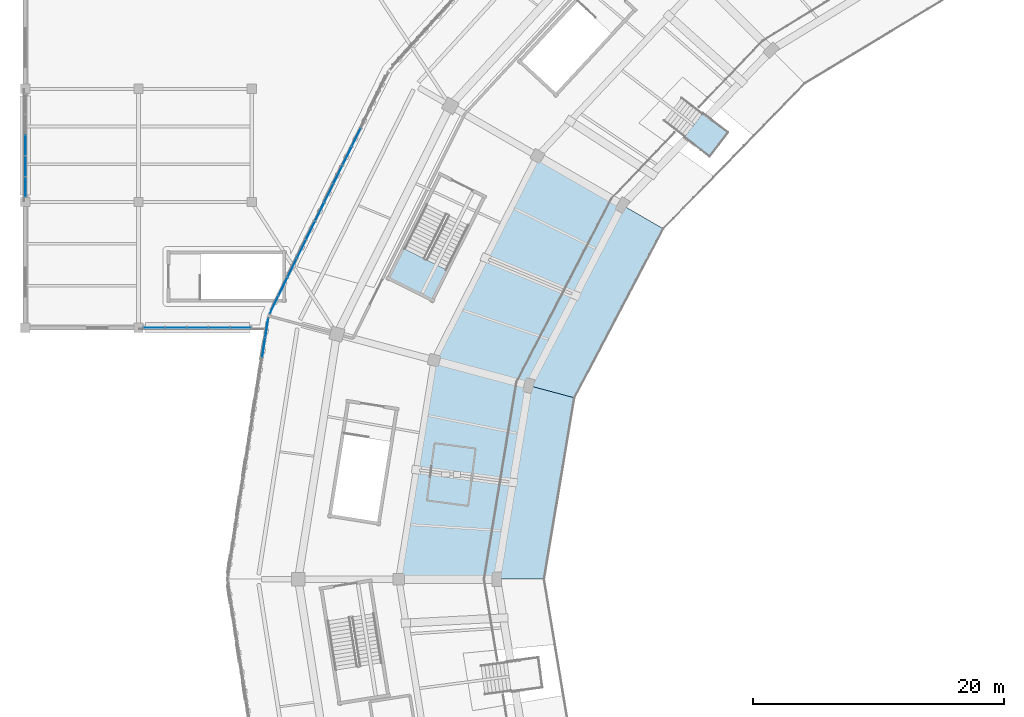
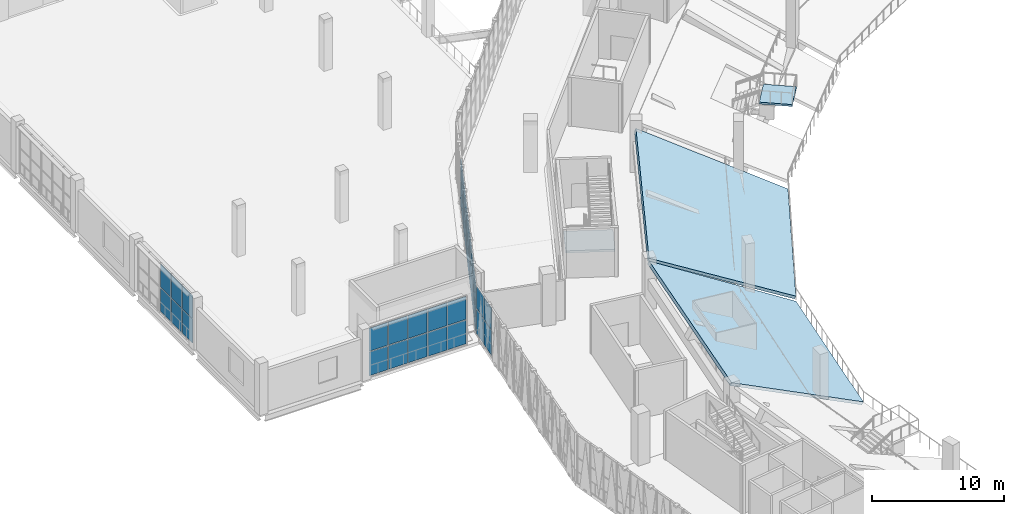
# One storey, part 76 of 152: 40 plates, 4 slabs, 6 elements without a shape of their own.
"""IFC4 building model written with IfcOpenShell, lengths in metres."""

from ifc_helpers import new_model, si_unit, direction, frame, origin, origin_2d, place, context, subcontext, project, spatial, polyline, rectangle, outline, extrude, material, layer, layer_set, type_object, element, aggregate, save


model = new_model("IFC4")

# Units and contexts
model_context = context("Model", 3, precision=1e-05, world=origin(), true_north=direction((0.0, 1.0)))
body_context = subcontext(model_context, "Body", "Model", "MODEL_VIEW")
ifc_project = project(units=[si_unit("LENGTHUNIT", "METRE"), si_unit("AREAUNIT", "SQUARE_METRE"), si_unit("VOLUMEUNIT", "CUBIC_METRE"), si_unit("PLANEANGLEUNIT", "RADIAN"), si_unit("MASSUNIT", "GRAM", prefix="KILO")], contexts=[model_context])

# Site, building, storey
site_placement = place(None, origin())
site = spatial("IfcSite", under=ifc_project, at=site_placement, CompositionType="ELEMENT")
building_placement = place(site_placement, origin())
building = spatial("IfcBuilding", under=site, at=building_placement, Name="Zevraka Park Crest Stadium", CompositionType="ELEMENT")
storey_placement = place(building_placement, frame((0.0, 0.0, 15.0)))
storey = spatial("IfcBuildingStorey", under=building, at=storey_placement, Name="L03", CompositionType="ELEMENT", Elevation=15.0)

# Curtain wall, plates
ifc_material_1 = material(Name="Anodised architectural aluminium and laminated safety glass", Category="aluminium")
curtain_wall_type_1 = type_object("IfcCurtainWallType", Name="CW11", PredefinedType="NOTDEFINED", material=ifc_material_1)
curtain_wall_1_placement = place(storey_placement, origin())
curtain_wall_1 = element("IfcCurtainWall", 1, at=curtain_wall_1_placement, inside=storey, type_object=curtain_wall_type_1, Name="Unitised Ring Curtain Wall CW11 L03-11", PredefinedType="NOTDEFINED")
ifc_material_2 = material(Name="Solar-control laminated double glazing", Category="glass")
ifc_layer_1 = layer(ifc_material_2, 0.028076171875)
ifc_layer_set_1 = layer_set([ifc_layer_1], Name="Solar-control laminated double glazing")
plate_type_1 = type_object("IfcPlateType", Name="CP11", PredefinedType="CURTAIN_PANEL", material=ifc_layer_set_1)
plate_1_placement = place(storey_placement, frame((19.201416015625, 112.001220703125, 0.06494140625), z_axis=(0.0, 0.0, 1.0), x_axis=(-0.154127730222, -0.988050931267, 0.0)))
plate_1 = element("IfcPlate", 2, at=plate_1_placement, type_object=plate_type_1, Name="CW11 panel 1.1", PredefinedType="CURTAIN_PANEL", context=body_context, shape_type="SweptSolid", body=[
    extrude(rectangle(XDim=1.512939453125, YDim=0.028076171875, at=origin_2d()), origin(), (0.0, 0.0, 1.0), 2.302490234375),
])
plate_2_placement = place(storey_placement, frame((19.201416015625, 112.001220703125, 2.4326171875), z_axis=(0.0, 0.0, 1.0), x_axis=(-0.154127730222, -0.988050931267, 0.0)))
plate_2 = element("IfcPlate", 3, at=plate_2_placement, type_object=plate_type_1, Name="CW11 panel 1.2", PredefinedType="CURTAIN_PANEL", context=body_context, shape_type="SweptSolid", body=[
    extrude(rectangle(XDim=1.512939453125, YDim=0.028076171875, at=origin_2d()), origin(), (0.0, 0.0, 1.0), 2.04248046875),
])
plate_3_placement = place(storey_placement, frame((18.95556640625, 110.426025390625, 0.06494140625), z_axis=(0.0, 0.0, 1.0), x_axis=(-0.154127730222, -0.988050931267, 0.0)))
plate_3 = element("IfcPlate", 4, at=plate_3_placement, type_object=plate_type_1, Name="CW11 panel 2.1", PredefinedType="CURTAIN_PANEL", context=body_context, shape_type="SweptSolid", body=[
    extrude(rectangle(XDim=1.545654296875, YDim=0.028076171875, at=origin_2d()), origin(), (0.0, 0.0, 1.0), 2.302490234375),
])
plate_4_placement = place(storey_placement, frame((18.95556640625, 110.426025390625, 2.4326171875), z_axis=(0.0, 0.0, 1.0), x_axis=(-0.154127730222, -0.988050931267, 0.0)))
plate_4 = element("IfcPlate", 5, at=plate_4_placement, type_object=plate_type_1, Name="CW11 panel 2.2", PredefinedType="CURTAIN_PANEL", context=body_context, shape_type="SweptSolid", body=[
    extrude(rectangle(XDim=1.545654296875, YDim=0.028076171875, at=origin_2d()), origin(), (0.0, 0.0, 1.0), 2.04248046875),
])
aggregate(curtain_wall_1, [plate_1, plate_2, plate_3, plate_4])

ifc_material_3 = material(Name="Anodised architectural aluminium and laminated safety glass", Category="aluminium")
curtain_wall_type_2 = type_object("IfcCurtainWallType", Name="CW12", PredefinedType="NOTDEFINED", material=ifc_material_3)
curtain_wall_2_placement = place(storey_placement, origin())
curtain_wall_2 = element("IfcCurtainWall", 6, at=curtain_wall_2_placement, inside=storey, type_object=curtain_wall_type_2, Name="Unitised Ring Curtain Wall CW12 L03-10", PredefinedType="NOTDEFINED")
ifc_material_4 = material(Name="Solar-control laminated double glazing", Category="glass")
ifc_layer_2 = layer(ifc_material_4, 0.028076171875)
ifc_layer_set_2 = layer_set([ifc_layer_2], Name="Solar-control laminated double glazing")
plate_type_2 = type_object("IfcPlateType", Name="CP12", PredefinedType="CURTAIN_PANEL", material=ifc_layer_set_2)
plate_5_placement = place(storey_placement, frame((26.3232421875, 127.14697265625, 0.070068359375), z_axis=(0.0, 0.0, 1.0), x_axis=(-0.440666370912, -0.897670958396, 0.0)))
plate_5 = element("IfcPlate", 7, at=plate_5_placement, type_object=plate_type_2, Name="CW12 panel 4.1", PredefinedType="CURTAIN_PANEL", context=body_context, shape_type="SweptSolid", body=[
    extrude(rectangle(XDim=1.58251953125, YDim=0.028076171875, at=origin_2d()), origin(), (0.0, 0.0, 1.0), 2.294921875),
])
plate_6_placement = place(storey_placement, frame((26.3232421875, 127.14697265625, 2.43505859375), z_axis=(0.0, 0.0, 1.0), x_axis=(-0.440666370912, -0.897670958396, 0.0)))
plate_6 = element("IfcPlate", 8, at=plate_6_placement, type_object=plate_type_2, Name="CW12 panel 4.2", PredefinedType="CURTAIN_PANEL", context=body_context, shape_type="SweptSolid", body=[
    extrude(rectangle(XDim=1.58251953125, YDim=0.028076171875, at=origin_2d()), origin(), (0.0, 0.0, 1.0), 2.034912109375),
])
plate_7_placement = place(storey_placement, frame((25.594970703125, 125.663330078125, 0.070068359375), z_axis=(0.0, 0.0, 1.0), x_axis=(-0.440666370912, -0.897670958396, 0.0)))
plate_7 = element("IfcPlate", 9, at=plate_7_placement, type_object=plate_type_2, Name="CW12 panel 5.1", PredefinedType="CURTAIN_PANEL", context=body_context, shape_type="SweptSolid", body=[
    extrude(rectangle(XDim=1.58251953125, YDim=0.028076171875, at=origin_2d()), origin(), (0.0, 0.0, 1.0), 2.294921875),
])
plate_8_placement = place(storey_placement, frame((25.594970703125, 125.663330078125, 2.43505859375), z_axis=(0.0, 0.0, 1.0), x_axis=(-0.440666370912, -0.897670958396, 0.0)))
plate_8 = element("IfcPlate", 10, at=plate_8_placement, type_object=plate_type_2, Name="CW12 panel 5.2", PredefinedType="CURTAIN_PANEL", context=body_context, shape_type="SweptSolid", body=[
    extrude(rectangle(XDim=1.58251953125, YDim=0.028076171875, at=origin_2d()), origin(), (0.0, 0.0, 1.0), 2.034912109375),
])
plate_9_placement = place(storey_placement, frame((24.86669921875, 124.179931640625, 0.070068359375), z_axis=(0.0, 0.0, 1.0), x_axis=(-0.440666370912, -0.897670958396, 0.0)))
plate_9 = element("IfcPlate", 11, at=plate_9_placement, type_object=plate_type_2, Name="CW12 panel 6.1", PredefinedType="CURTAIN_PANEL", context=body_context, shape_type="SweptSolid", body=[
    extrude(rectangle(XDim=1.58251953125, YDim=0.028076171875, at=origin_2d()), origin(), (0.0, 0.0, 1.0), 2.294921875),
])
plate_10_placement = place(storey_placement, frame((24.86669921875, 124.179931640625, 2.43505859375), z_axis=(0.0, 0.0, 1.0), x_axis=(-0.440666370912, -0.897670958396, 0.0)))
plate_10 = element("IfcPlate", 12, at=plate_10_placement, type_object=plate_type_2, Name="CW12 panel 6.2", PredefinedType="CURTAIN_PANEL", context=body_context, shape_type="SweptSolid", body=[
    extrude(rectangle(XDim=1.58251953125, YDim=0.028076171875, at=origin_2d()), origin(), (0.0, 0.0, 1.0), 2.034912109375),
])
plate_11_placement = place(storey_placement, frame((24.138427734375, 122.696533203125, 0.070068359375), z_axis=(0.0, 0.0, 1.0), x_axis=(-0.440666370912, -0.897670958396, 0.0)))
plate_11 = element("IfcPlate", 13, at=plate_11_placement, type_object=plate_type_2, Name="CW12 panel 7.1", PredefinedType="CURTAIN_PANEL", context=body_context, shape_type="SweptSolid", body=[
    extrude(rectangle(XDim=1.58251953125, YDim=0.028076171875, at=origin_2d()), origin(), (0.0, 0.0, 1.0), 2.294921875),
])
plate_12_placement = place(storey_placement, frame((24.138427734375, 122.696533203125, 2.43505859375), z_axis=(0.0, 0.0, 1.0), x_axis=(-0.440666370912, -0.897670958396, 0.0)))
plate_12 = element("IfcPlate", 14, at=plate_12_placement, type_object=plate_type_2, Name="CW12 panel 7.2", PredefinedType="CURTAIN_PANEL", context=body_context, shape_type="SweptSolid", body=[
    extrude(rectangle(XDim=1.58251953125, YDim=0.028076171875, at=origin_2d()), origin(), (0.0, 0.0, 1.0), 2.034912109375),
])
plate_13_placement = place(storey_placement, frame((23.41015625, 121.213134765625, 0.070068359375), z_axis=(0.0, 0.0, 1.0), x_axis=(-0.440666370912, -0.897670958396, 0.0)))
plate_13 = element("IfcPlate", 15, at=plate_13_placement, type_object=plate_type_2, Name="CW12 panel 8.1", PredefinedType="CURTAIN_PANEL", context=body_context, shape_type="SweptSolid", body=[
    extrude(rectangle(XDim=1.58251953125, YDim=0.028076171875, at=origin_2d()), origin(), (0.0, 0.0, 1.0), 2.294921875),
])
plate_14_placement = place(storey_placement, frame((23.41015625, 121.213134765625, 2.43505859375), z_axis=(0.0, 0.0, 1.0), x_axis=(-0.440666370912, -0.897670958396, 0.0)))
plate_14 = element("IfcPlate", 16, at=plate_14_placement, type_object=plate_type_2, Name="CW12 panel 8.2", PredefinedType="CURTAIN_PANEL", context=body_context, shape_type="SweptSolid", body=[
    extrude(rectangle(XDim=1.58251953125, YDim=0.028076171875, at=origin_2d()), origin(), (0.0, 0.0, 1.0), 2.034912109375),
])
plate_15_placement = place(storey_placement, frame((22.68212890625, 119.7294921875, 0.070068359375), z_axis=(0.0, 0.0, 1.0), x_axis=(-0.440666370912, -0.897670958396, 0.0)))
plate_15 = element("IfcPlate", 17, at=plate_15_placement, type_object=plate_type_2, Name="CW12 panel 9.1", PredefinedType="CURTAIN_PANEL", context=body_context, shape_type="SweptSolid", body=[
    extrude(rectangle(XDim=1.58251953125, YDim=0.028076171875, at=origin_2d()), origin(), (0.0, 0.0, 1.0), 2.294921875),
])
plate_16_placement = place(storey_placement, frame((22.68212890625, 119.7294921875, 2.43505859375), z_axis=(0.0, 0.0, 1.0), x_axis=(-0.440666370912, -0.897670958396, 0.0)))
plate_16 = element("IfcPlate", 18, at=plate_16_placement, type_object=plate_type_2, Name="CW12 panel 9.2", PredefinedType="CURTAIN_PANEL", context=body_context, shape_type="SweptSolid", body=[
    extrude(rectangle(XDim=1.58251953125, YDim=0.028076171875, at=origin_2d()), origin(), (0.0, 0.0, 1.0), 2.034912109375),
])
plate_17_placement = place(storey_placement, frame((21.953857421875, 118.24609375, 0.070068359375), z_axis=(0.0, 0.0, 1.0), x_axis=(-0.440666370912, -0.897670958396, 0.0)))
plate_17 = element("IfcPlate", 19, at=plate_17_placement, type_object=plate_type_2, Name="CW12 panel 10.1", PredefinedType="CURTAIN_PANEL", context=body_context, shape_type="SweptSolid", body=[
    extrude(rectangle(XDim=1.58251953125, YDim=0.028076171875, at=origin_2d()), origin(), (0.0, 0.0, 1.0), 2.294921875),
])
plate_18_placement = place(storey_placement, frame((21.953857421875, 118.24609375, 2.43505859375), z_axis=(0.0, 0.0, 1.0), x_axis=(-0.440666370912, -0.897670958396, 0.0)))
plate_18 = element("IfcPlate", 20, at=plate_18_placement, type_object=plate_type_2, Name="CW12 panel 10.2", PredefinedType="CURTAIN_PANEL", context=body_context, shape_type="SweptSolid", body=[
    extrude(rectangle(XDim=1.58251953125, YDim=0.028076171875, at=origin_2d()), origin(), (0.0, 0.0, 1.0), 2.034912109375),
])
plate_19_placement = place(storey_placement, frame((21.2255859375, 116.7626953125, 0.070068359375), z_axis=(0.0, 0.0, 1.0), x_axis=(-0.440666370912, -0.897670958396, 0.0)))
plate_19 = element("IfcPlate", 21, at=plate_19_placement, type_object=plate_type_2, Name="CW12 panel 11.1", PredefinedType="CURTAIN_PANEL", context=body_context, shape_type="SweptSolid", body=[
    extrude(rectangle(XDim=1.58251953125, YDim=0.028076171875, at=origin_2d()), origin(), (0.0, 0.0, 1.0), 2.294921875),
])
plate_20_placement = place(storey_placement, frame((21.2255859375, 116.7626953125, 2.43505859375), z_axis=(0.0, 0.0, 1.0), x_axis=(-0.440666370912, -0.897670958396, 0.0)))
plate_20 = element("IfcPlate", 22, at=plate_20_placement, type_object=plate_type_2, Name="CW12 panel 11.2", PredefinedType="CURTAIN_PANEL", context=body_context, shape_type="SweptSolid", body=[
    extrude(rectangle(XDim=1.58251953125, YDim=0.028076171875, at=origin_2d()), origin(), (0.0, 0.0, 1.0), 2.034912109375),
])
plate_21_placement = place(storey_placement, frame((20.497314453125, 115.279296875, 0.070068359375), z_axis=(0.0, 0.0, 1.0), x_axis=(-0.440666370912, -0.897670958396, 0.0)))
plate_21 = element("IfcPlate", 23, at=plate_21_placement, type_object=plate_type_2, Name="CW12 panel 12.1", PredefinedType="CURTAIN_PANEL", context=body_context, shape_type="SweptSolid", body=[
    extrude(rectangle(XDim=1.58251953125, YDim=0.028076171875, at=origin_2d()), origin(), (0.0, 0.0, 1.0), 2.294921875),
])
plate_22_placement = place(storey_placement, frame((20.497314453125, 115.279296875, 2.43505859375), z_axis=(0.0, 0.0, 1.0), x_axis=(-0.440666370912, -0.897670958396, 0.0)))
plate_22 = element("IfcPlate", 24, at=plate_22_placement, type_object=plate_type_2, Name="CW12 panel 12.2", PredefinedType="CURTAIN_PANEL", context=body_context, shape_type="SweptSolid", body=[
    extrude(rectangle(XDim=1.58251953125, YDim=0.028076171875, at=origin_2d()), origin(), (0.0, 0.0, 1.0), 2.034912109375),
])
plate_23_placement = place(storey_placement, frame((19.77685546875, 113.8115234375, 0.070068359375), z_axis=(0.0, 0.0, 1.0), x_axis=(-0.440666370912, -0.897670958396, 0.0)))
plate_23 = element("IfcPlate", 25, at=plate_23_placement, type_object=plate_type_2, Name="CW12 panel 13.1", PredefinedType="CURTAIN_PANEL", context=body_context, shape_type="SweptSolid", body=[
    extrude(rectangle(XDim=1.547607421875, YDim=0.028076171875, at=origin_2d()), origin(), (0.0, 0.0, 1.0), 2.294921875),
])
plate_24_placement = place(storey_placement, frame((19.77685546875, 113.8115234375, 2.43505859375), z_axis=(0.0, 0.0, 1.0), x_axis=(-0.440666370912, -0.897670958396, 0.0)))
plate_24 = element("IfcPlate", 26, at=plate_24_placement, type_object=plate_type_2, Name="CW12 panel 13.2", PredefinedType="CURTAIN_PANEL", context=body_context, shape_type="SweptSolid", body=[
    extrude(rectangle(XDim=1.547607421875, YDim=0.028076171875, at=origin_2d()), origin(), (0.0, 0.0, 1.0), 2.034912109375),
])
aggregate(curtain_wall_2, [plate_5, plate_6, plate_7, plate_8, plate_9, plate_10, plate_11, plate_12, plate_13, plate_14, plate_15, plate_16, plate_17, plate_18, plate_19, plate_20, plate_21, plate_22, plate_23, plate_24])

ifc_material_5 = material(Name="Anodised architectural aluminium and laminated safety glass", Category="aluminium")
curtain_wall_type_3 = type_object("IfcCurtainWallType", Name="CW30", PredefinedType="NOTDEFINED", material=ifc_material_5)
curtain_wall_3_placement = place(storey_placement, origin())
curtain_wall_3 = element("IfcCurtainWall", 27, at=curtain_wall_3_placement, inside=storey, type_object=curtain_wall_type_3, Name="Wing Curtain Wall CW30 L03-NW-W-2", PredefinedType="NOTDEFINED")
ifc_material_6 = material(Name="Solar-control laminated double glazing", Category="glass")
ifc_layer_3 = layer(ifc_material_6, 0.035888671875)
ifc_layer_set_3 = layer_set([ifc_layer_3], Name="Solar-control laminated double glazing")
plate_type_3 = type_object("IfcPlateType", Name="CP30", PredefinedType="CURTAIN_PANEL", material=ifc_layer_set_3)
plate_25_placement = place(storey_placement, frame((0.0, 123.20947265625, 0.06982421875), z_axis=(0.0, 0.0, 1.0), x_axis=(0.0, 1.0, 0.0)))
plate_25 = element("IfcPlate", 28, at=plate_25_placement, type_object=plate_type_3, Name="CW30 panel 1.1", PredefinedType="CURTAIN_PANEL", context=body_context, shape_type="SweptSolid", body=[
    extrude(rectangle(XDim=1.549072265625, YDim=0.035888671875, at=origin_2d()), origin(), (0.0, 0.0, 1.0), 2.195068359375),
])
plate_26_placement = place(storey_placement, frame((0.0, 123.20947265625, 2.3349609375), z_axis=(0.0, 0.0, 1.0), x_axis=(0.0, 1.0, 0.0)))
plate_26 = element("IfcPlate", 29, at=plate_26_placement, type_object=plate_type_3, Name="CW30 panel 1.2", PredefinedType="CURTAIN_PANEL", context=body_context, shape_type="SweptSolid", body=[
    extrude(rectangle(XDim=1.549072265625, YDim=0.035888671875, at=origin_2d()), origin(), (0.0, 0.0, 1.0), 2.135009765625),
])
plate_27_placement = place(storey_placement, frame((0.0, 124.845947265625, 0.06982421875), z_axis=(0.0, 0.0, 1.0), x_axis=(0.0, 1.0, 0.0)))
plate_27 = element("IfcPlate", 30, at=plate_27_placement, type_object=plate_type_3, Name="CW30 panel 2.1", PredefinedType="CURTAIN_PANEL", context=body_context, shape_type="SweptSolid", body=[
    extrude(rectangle(XDim=1.583984375, YDim=0.035888671875, at=origin_2d()), origin(), (0.0, 0.0, 1.0), 2.195068359375),
])
plate_28_placement = place(storey_placement, frame((0.0, 124.845947265625, 2.3349609375), z_axis=(0.0, 0.0, 1.0), x_axis=(0.0, 1.0, 0.0)))
plate_28 = element("IfcPlate", 31, at=plate_28_placement, type_object=plate_type_3, Name="CW30 panel 2.2", PredefinedType="CURTAIN_PANEL", context=body_context, shape_type="SweptSolid", body=[
    extrude(rectangle(XDim=1.583984375, YDim=0.035888671875, at=origin_2d()), origin(), (0.0, 0.0, 1.0), 2.135009765625),
])
plate_29_placement = place(storey_placement, frame((0.0, 126.5, 0.06982421875), z_axis=(0.0, 0.0, 1.0), x_axis=(0.0, 1.0, 0.0)))
plate_29 = element("IfcPlate", 32, at=plate_29_placement, type_object=plate_type_3, Name="CW30 panel 3.1", PredefinedType="CURTAIN_PANEL", context=body_context, shape_type="SweptSolid", body=[
    extrude(rectangle(XDim=1.583984375, YDim=0.035888671875, at=origin_2d()), origin(), (0.0, 0.0, 1.0), 2.195068359375),
])
plate_30_placement = place(storey_placement, frame((0.0, 126.5, 2.3349609375), z_axis=(0.0, 0.0, 1.0), x_axis=(0.0, 1.0, 0.0)))
plate_30 = element("IfcPlate", 33, at=plate_30_placement, type_object=plate_type_3, Name="CW30 panel 3.2", PredefinedType="CURTAIN_PANEL", context=body_context, shape_type="SweptSolid", body=[
    extrude(rectangle(XDim=1.583984375, YDim=0.035888671875, at=origin_2d()), origin(), (0.0, 0.0, 1.0), 2.135009765625),
])
aggregate(curtain_wall_3, [plate_25, plate_26, plate_27, plate_28, plate_29, plate_30])

curtain_wall_4_placement = place(storey_placement, origin())
curtain_wall_4 = element("IfcCurtainWall", 34, at=curtain_wall_4_placement, inside=storey, type_object=curtain_wall_type_3, Name="Wing Curtain Wall CW30 L03-NW-S0-2", PredefinedType="NOTDEFINED")
plate_31_placement = place(storey_placement, frame((17.132568359375, 112.0, 0.06982421875), z_axis=(0.0, 0.0, 1.0), x_axis=(-1.0, 0.0, 0.0)))
plate_31 = element("IfcPlate", 35, at=plate_31_placement, type_object=plate_type_3, Name="CW30 panel 1.1", PredefinedType="CURTAIN_PANEL", context=body_context, shape_type="SweptSolid", body=[
    extrude(rectangle(XDim=1.625, YDim=0.035888671875, at=origin_2d()), origin(), (0.0, 0.0, 1.0), 2.195068359375),
])
plate_32_placement = place(storey_placement, frame((17.132568359375, 112.0, 2.3349609375), z_axis=(0.0, 0.0, 1.0), x_axis=(-1.0, 0.0, 0.0)))
plate_32 = element("IfcPlate", 36, at=plate_32_placement, type_object=plate_type_3, Name="CW30 panel 1.2", PredefinedType="CURTAIN_PANEL", context=body_context, shape_type="SweptSolid", body=[
    extrude(rectangle(XDim=1.625, YDim=0.035888671875, at=origin_2d()), origin(), (0.0, 0.0, 1.0), 2.135009765625),
])
plate_33_placement = place(storey_placement, frame((15.419921875, 112.0, 0.06982421875), z_axis=(0.0, 0.0, 1.0), x_axis=(-1.0, 0.0, 0.0)))
plate_33 = element("IfcPlate", 37, at=plate_33_placement, type_object=plate_type_3, Name="CW30 panel 2.1", PredefinedType="CURTAIN_PANEL", context=body_context, shape_type="SweptSolid", body=[
    extrude(rectangle(XDim=1.659912109375, YDim=0.035888671875, at=origin_2d()), origin(), (0.0, 0.0, 1.0), 2.195068359375),
])
plate_34_placement = place(storey_placement, frame((15.419921875, 112.0, 2.3349609375), z_axis=(0.0, 0.0, 1.0), x_axis=(-1.0, 0.0, 0.0)))
plate_34 = element("IfcPlate", 38, at=plate_34_placement, type_object=plate_type_3, Name="CW30 panel 2.2", PredefinedType="CURTAIN_PANEL", context=body_context, shape_type="SweptSolid", body=[
    extrude(rectangle(XDim=1.659912109375, YDim=0.035888671875, at=origin_2d()), origin(), (0.0, 0.0, 1.0), 2.135009765625),
])
plate_35_placement = place(storey_placement, frame((13.68994140625, 112.0, 0.06982421875), z_axis=(0.0, 0.0, 1.0), x_axis=(-1.0, 0.0, 0.0)))
plate_35 = element("IfcPlate", 39, at=plate_35_placement, type_object=plate_type_3, Name="CW30 panel 3.1", PredefinedType="CURTAIN_PANEL", context=body_context, shape_type="SweptSolid", body=[
    extrude(rectangle(XDim=1.659912109375, YDim=0.035888671875, at=origin_2d()), origin(), (0.0, 0.0, 1.0), 2.195068359375),
])
plate_36_placement = place(storey_placement, frame((13.68994140625, 112.0, 2.3349609375), z_axis=(0.0, 0.0, 1.0), x_axis=(-1.0, 0.0, 0.0)))
plate_36 = element("IfcPlate", 40, at=plate_36_placement, type_object=plate_type_3, Name="CW30 panel 3.2", PredefinedType="CURTAIN_PANEL", context=body_context, shape_type="SweptSolid", body=[
    extrude(rectangle(XDim=1.659912109375, YDim=0.035888671875, at=origin_2d()), origin(), (0.0, 0.0, 1.0), 2.135009765625),
])
plate_37_placement = place(storey_placement, frame((11.9599609375, 112.0, 0.06982421875), z_axis=(0.0, 0.0, 1.0), x_axis=(-1.0, 0.0, 0.0)))
plate_37 = element("IfcPlate", 41, at=plate_37_placement, type_object=plate_type_3, Name="CW30 panel 4.1", PredefinedType="CURTAIN_PANEL", context=body_context, shape_type="SweptSolid", body=[
    extrude(rectangle(XDim=1.659912109375, YDim=0.035888671875, at=origin_2d()), origin(), (0.0, 0.0, 1.0), 2.195068359375),
])
plate_38_placement = place(storey_placement, frame((11.9599609375, 112.0, 2.3349609375), z_axis=(0.0, 0.0, 1.0), x_axis=(-1.0, 0.0, 0.0)))
plate_38 = element("IfcPlate", 42, at=plate_38_placement, type_object=plate_type_3, Name="CW30 panel 4.2", PredefinedType="CURTAIN_PANEL", context=body_context, shape_type="SweptSolid", body=[
    extrude(rectangle(XDim=1.659912109375, YDim=0.035888671875, at=origin_2d()), origin(), (0.0, 0.0, 1.0), 2.135009765625),
])
plate_39_placement = place(storey_placement, frame((10.24755859375, 112.0, 0.06982421875), z_axis=(0.0, 0.0, 1.0), x_axis=(-1.0, 0.0, 0.0)))
plate_39 = element("IfcPlate", 43, at=plate_39_placement, type_object=plate_type_3, Name="CW30 panel 5.1", PredefinedType="CURTAIN_PANEL", context=body_context, shape_type="SweptSolid", body=[
    extrude(rectangle(XDim=1.625, YDim=0.035888671875, at=origin_2d()), origin(), (0.0, 0.0, 1.0), 2.195068359375),
])
plate_40_placement = place(storey_placement, frame((10.24755859375, 112.0, 2.3349609375), z_axis=(0.0, 0.0, 1.0), x_axis=(-1.0, 0.0, 0.0)))
plate_40 = element("IfcPlate", 44, at=plate_40_placement, type_object=plate_type_3, Name="CW30 panel 5.2", PredefinedType="CURTAIN_PANEL", context=body_context, shape_type="SweptSolid", body=[
    extrude(rectangle(XDim=1.625, YDim=0.035888671875, at=origin_2d()), origin(), (0.0, 0.0, 1.0), 2.135009765625),
])
aggregate(curtain_wall_4, [plate_31, plate_32, plate_33, plate_34, plate_35, plate_36, plate_37, plate_38, plate_39, plate_40])

# Stair, slab
ifc_material_7 = material(Name="Concrete C35/45", Category="concrete")
stair_type_1 = type_object("IfcStairType", Name="STA2", PredefinedType="HALF_TURN_STAIR", material=ifc_material_7)
stair_1_placement = place(storey_placement, origin())
stair_1 = element("IfcStair", 45, at=stair_1_placement, inside=storey, type_object=stair_type_1, Name="L03 Protected Concourse Exit Stair ST11", PredefinedType="HALF_TURN_STAIR")
ifc_material_8 = material(Name="Concrete C35/45", Category="concrete")
ifc_layer_4 = layer(ifc_material_8, 0.199951171875)
ifc_layer_set_4 = layer_set([ifc_layer_4], Name="Concrete C35/45")
slab_type_1 = type_object("IfcSlabType", Name="LS01", PredefinedType="LANDING", material=ifc_layer_set_4)
slab_1_placement = place(storey_placement, frame((0.0, 0.0, 2.199951171875)))
slab_1 = element("IfcSlab", 46, at=slab_1_placement, type_object=slab_type_1, Name="ST11 landing 1", PredefinedType="LANDING", context=body_context, shape_type="SweptSolid", body=[
    extrude(outline(polyline([(30.138427734375, 118.296142578125), (28.969482421875, 115.962646484375), (32.3310546875, 114.278564453125), (33.500244140625, 116.612060546875), (30.138427734375, 118.296142578125)])), origin(), (0.0, 0.0, 1.0), 0.199951171875),
])
aggregate(stair_1, [slab_1])

ifc_material_9 = material(Name="Concrete C35/45", Category="concrete")
stair_type_2 = type_object("IfcStairType", Name="VST1", PredefinedType="STRAIGHT_RUN_STAIR", material=ifc_material_9)
stair_2_placement = place(storey_placement, origin())
stair_2 = element("IfcStair", 47, at=stair_2_placement, inside=storey, type_object=stair_type_2, Name="Vomitory Stair VS-12", PredefinedType="STRAIGHT_RUN_STAIR")
ifc_material_10 = material(Name="Concrete C35/45", Category="concrete")
ifc_layer_5 = layer(ifc_material_10, 0.179931640625)
ifc_layer_set_5 = layer_set([ifc_layer_5], Name="Concrete C35/45")
slab_type_2 = type_object("IfcSlabType", Name="LS02", PredefinedType="LANDING", material=ifc_layer_set_5)
slab_2_placement = place(storey_placement, frame((0.0, 0.0, 1.02001953125)))
slab_2 = element("IfcSlab", 48, at=slab_2_placement, type_object=slab_type_2, Name="VST1 landing 1", PredefinedType="LANDING", context=body_context, shape_type="SweptSolid", body=[
    extrude(outline(polyline([(52.4130859375, 127.156982421875), (54.416015625, 125.6201171875), (55.876953125, 127.52392578125), (53.8740234375, 129.06103515625), (52.4130859375, 127.156982421875)])), origin(), (0.0, 0.0, 1.0), 0.179931640625),
])
aggregate(stair_2, [slab_2])

# Slabs
ifc_material_11 = material(Name="Concrete C35/45", Category="concrete")
ifc_layer_6 = layer(ifc_material_11, 0.27001953125)
ifc_layer_set_6 = layer_set([ifc_layer_6], Name="Concrete C35/45")
slab_type_3 = type_object("IfcSlabType", Name="STU1", PredefinedType="USERDEFINED", material=ifc_layer_set_6)
slab_3_placement = place(storey_placement, frame((50.72900390625, 119.875, -1.839111328125), z_axis=(0.406483139503, -0.168376934113, 0.898009279105), x_axis=(-0.464831795428, -0.8842747789, 0.044604006099)))
element("IfcSlab", 49, at=slab_3_placement, inside=storey, type_object=slab_type_3, Name="Upper Tier Cantilevered Raked Seating Slab 10", ObjectType="SEATING TIER", PredefinedType="USERDEFINED", context=body_context, shape_type="SweptSolid", body=[
    extrude(outline(polyline([(0.0, 0.0), (15.205734542556357, -1.1102230246251565e-15), (17.99814769447383, -12.534043677307528), (-0.2066656820447274, -12.839165582406984), (0.0, 0.0)])), origin(), (0.0, 0.0, -1.0), 0.27001953125),
])
slab_4_placement = place(storey_placement, frame((43.660888671875, 106.428955078125, -1.628662109375), z_axis=(0.449281019201, -0.059167962967, 0.891429031356), x_axis=(-0.164775237071, -0.98617427679, 0.017590254312)))
element("IfcSlab", 50, at=slab_4_placement, inside=storey, type_object=slab_type_3, Name="Upper Tier Cantilevered Raked Seating Slab 11", ObjectType="SEATING TIER", PredefinedType="USERDEFINED", context=body_context, shape_type="SweptSolid", body=[
    extrude(outline(polyline([(0.0, 0.0), (14.631245489907581, -5.967448757360216e-16), (16.636805478770807, -12.77766658705673), (-1.0078547839082819, -12.895455630996015), (0.0, 0.0)])), origin(), (0.0, 0.0, -1.0), 0.27001953125),
])

save(model, "model.ifc")
